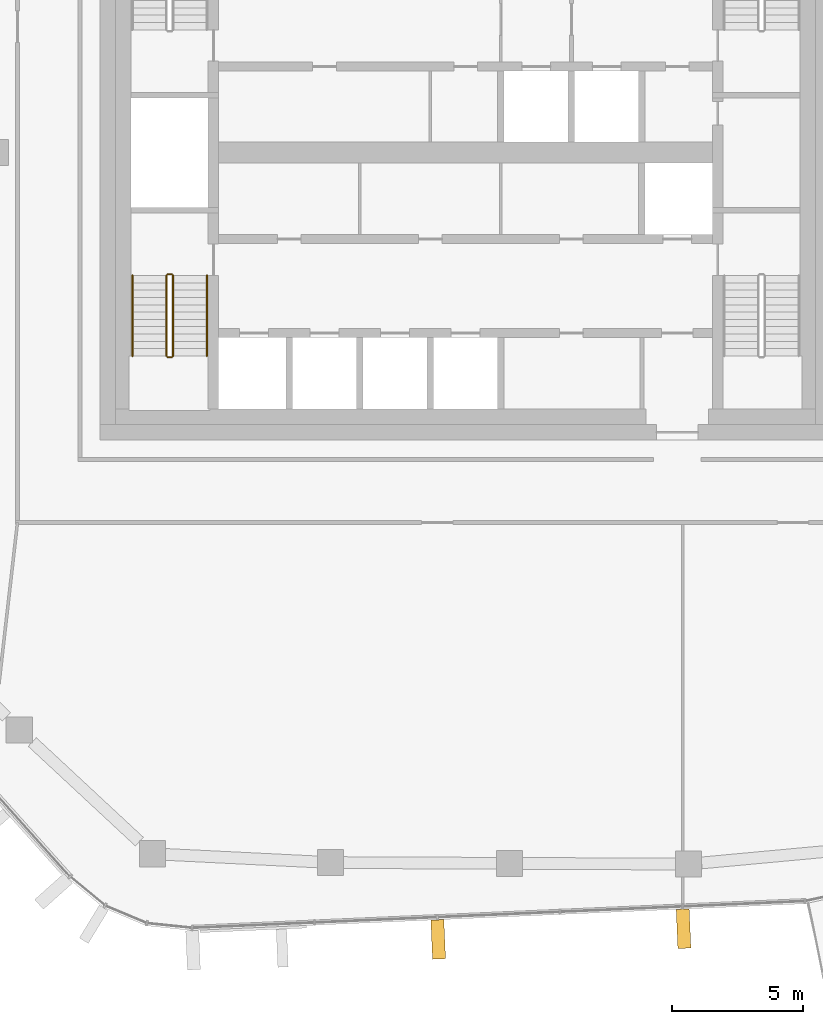
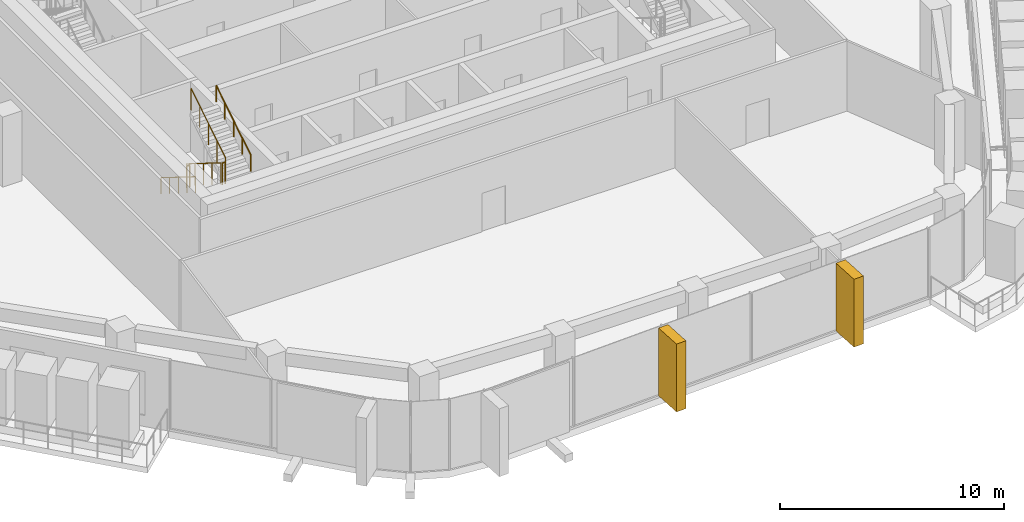
# One storey, part 18 of 23: 6 railings, 2 coverings, 1 element without a shape of its own.
"""IFC4 building model written with IfcOpenShell, lengths in metres."""

from ifc_helpers import new_model, si_unit, direction, frame, origin, origin_2d, place, context, subcontext, project, spatial, rectangle, circle, extrude, material, layer, layer_set, material_profile, profile_set, type_object, element, aggregate, save


model = new_model("IFC4")

# Units and contexts
model_context = context("Model", 3, precision=1e-05, world=origin(), true_north=direction((0.0, 1.0)))
body_context = subcontext(model_context, "Body", "Model", "MODEL_VIEW")
ifc_project = project(units=[si_unit("LENGTHUNIT", "METRE"), si_unit("AREAUNIT", "SQUARE_METRE"), si_unit("VOLUMEUNIT", "CUBIC_METRE"), si_unit("PLANEANGLEUNIT", "RADIAN"), si_unit("MASSUNIT", "GRAM", prefix="KILO")], contexts=[model_context])

# Site, building, storey
site_placement = place(None, origin())
site = spatial("IfcSite", under=ifc_project, at=site_placement, CompositionType="ELEMENT")
building_placement = place(site_placement, origin())
building = spatial("IfcBuilding", under=site, at=building_placement, Name="Dongbaek Canopy Tower", CompositionType="ELEMENT")
storey_placement = place(building_placement, frame((0.0, 0.0, 323.60009765625)))
storey = spatial("IfcBuildingStorey", under=building, at=storey_placement, Name="L69", CompositionType="ELEMENT", Elevation=323.60009765625)

# Curtain wall, coverings
ifc_material_1 = material(Name="Aluminium 6063-T6 pale anodised", Category="aluminium")
ifc_layer = layer(ifc_material_1, 0.199951171875)
ifc_layer_set = layer_set([ifc_layer], Name="CW-1 unitised tower curtain wall")
curtain_wall_type = type_object("IfcCurtainWallType", Name="CW-1 unitised tower curtain wall", PredefinedType="NOTDEFINED", material=ifc_layer_set)
curtain_wall_placement = place(storey_placement, origin())
curtain_wall = element("IfcCurtainWall", 1, at=curtain_wall_placement, inside=storey, type_object=curtain_wall_type, Name="CW-1 curtain wall F4.1", PredefinedType="NOTDEFINED")
ifc_material_2 = material(Name="Aluminium 6063-T6 pale metal fin", Category="aluminium")
ifc_material_profile = material_profile(ifc_material_2, rectangle(XDim=1.5, YDim=0.5, at=origin_2d()), Name="Fin FN1 500 x 1500 pale metal")
ifc_profile_set = profile_set([ifc_material_profile], Name="Aluminium 6063-T6 pale metal fin")
covering_type = type_object("IfcCoveringType", Name="Fin FN1 500 x 1500 pale metal", PredefinedType="CLADDING", material=ifc_profile_set)
covering_1_placement = place(storey_placement, frame((-1.048828125, -30.108154296875, 0.119873046875), z_axis=(0.0, 0.0, 1.0), x_axis=(0.04357165489, -0.999050304484, 0.0)))
covering_1 = element("IfcCovering", 2, at=covering_1_placement, type_object=covering_type, Name="Fin F4.1.3", PredefinedType="CLADDING", context=body_context, shape_type="SweptSolid", body=[
    extrude(rectangle(XDim=1.5, YDim=0.5, at=origin_2d()), origin(), (0.0, 0.0, 1.0), 3.699951171875),
])
covering_2_placement = place(storey_placement, frame((8.34033203125, -29.69873046875, 0.119873046875), z_axis=(0.0, 0.0, 1.0), x_axis=(0.04357165489, -0.999050304484, 0.0)))
covering_2 = element("IfcCovering", 3, at=covering_2_placement, type_object=covering_type, Name="Fin F4.1.5", PredefinedType="CLADDING", context=body_context, shape_type="SweptSolid", body=[
    extrude(rectangle(XDim=1.5, YDim=0.5, at=origin_2d()), origin(), (0.0, 0.0, 1.0), 3.699951171875),
])
aggregate(curtain_wall, [covering_1, covering_2])

# Railings
ifc_material_3 = material(Name="Stainless steel tube and balusters", Category="steel")
railing_type_1 = type_object("IfcRailingType", Name="Stair guard 1200", PredefinedType="GUARDRAIL", material=ifc_material_3)
railing_1_placement = place(storey_placement, frame((-11.449951171875, -4.699951171875, 0.1748046875)))
element("IfcRailing", 4, at=railing_1_placement, inside=storey, type_object=railing_type_1, Name="L69 ST-D stair guard 1", PredefinedType="GUARDRAIL", context=body_context, shape_type="SweptSolid", body=[
    extrude(circle(Radius=0.02392578125, at=origin_2d()), frame((0.0, 0.0, 1.17578125), z_axis=(0.0, -0.847998304005, 0.529998940003), x_axis=(1.0, 0.0, 0.0)), (0.0, 0.0, 1.0), 3.632080078125),
    extrude(circle(Radius=0.02099609375, at=origin_2d()), origin(), (0.0, 0.0, 1.0), 1.15185546875),
    extrude(circle(Radius=0.02099609375, at=origin_2d()), frame((0.0, -0.77001953125, 0.481201171875)), (0.0, 0.0, 1.0), 1.15185546875),
    extrude(circle(Radius=0.02099609375, at=origin_2d()), frame((0.0, -1.5400390625, 0.96240234375)), (0.0, 0.0, 1.0), 1.15185546875),
    extrude(circle(Radius=0.02099609375, at=origin_2d()), frame((0.0, -2.31005859375, 1.44384765625)), (0.0, 0.0, 1.0), 1.15185546875),
    extrude(circle(Radius=0.02099609375, at=origin_2d()), frame((0.0, -3.080078125, 1.925048828125)), (0.0, 0.0, 1.0), 1.15185546875),
])
railing_2_placement = place(storey_placement, frame((-11.39990234375, -7.830078125, 2.099853515625)))
element("IfcRailing", 5, at=railing_2_placement, inside=storey, type_object=railing_type_1, Name="L69 ST-D stair guard 2", PredefinedType="GUARDRAIL", context=body_context, shape_type="SweptSolid", body=[
    extrude(circle(Radius=0.02392578125, at=origin_2d()), frame((0.0, 0.0, 1.17578125), z_axis=(1.0, 0.0, 0.0), x_axis=(0.0, 1.0, 0.0)), (0.0, 0.0, 1.0), 0.14990234375),
    extrude(circle(Radius=0.02099609375, at=origin_2d()), origin(), (0.0, 0.0, 1.0), 1.15185546875),
    extrude(circle(Radius=0.02099609375, at=origin_2d()), frame((0.14990234375, 0.0, 0.0)), (0.0, 0.0, 1.0), 1.15185546875),
])
railing_3_placement = place(storey_placement, frame((-11.199951171875, -7.780029296875, 2.27490234375)))
element("IfcRailing", 6, at=railing_3_placement, inside=storey, type_object=railing_type_1, Name="L69 ST-D stair guard 3", PredefinedType="GUARDRAIL", context=body_context, shape_type="SweptSolid", body=[
    extrude(circle(Radius=0.02392578125, at=origin_2d()), frame((0.0, 0.0, 1.17578125), z_axis=(0.0, 0.847998304005, 0.529998940003), x_axis=(-1.0, 0.0, 0.0)), (0.0, 0.0, 1.0), 3.632080078125),
    extrude(circle(Radius=0.02099609375, at=origin_2d()), origin(), (0.0, 0.0, 1.0), 1.15185546875),
    extrude(circle(Radius=0.02099609375, at=origin_2d()), frame((0.0, 0.77001953125, 0.481201171875)), (0.0, 0.0, 1.0), 1.15185546875),
    extrude(circle(Radius=0.02099609375, at=origin_2d()), frame((0.0, 1.5400390625, 0.96240234375)), (0.0, 0.0, 1.0), 1.15185546875),
    extrude(circle(Radius=0.02099609375, at=origin_2d()), frame((0.0, 2.31005859375, 1.44384765625)), (0.0, 0.0, 1.0), 1.15185546875),
    extrude(circle(Radius=0.02099609375, at=origin_2d()), frame((0.0, 3.080078125, 1.925048828125)), (0.0, 0.0, 1.0), 1.15185546875),
])
railing_4_placement = place(storey_placement, frame((-11.39990234375, -4.64990234375, 0.0)))
element("IfcRailing", 7, at=railing_4_placement, inside=storey, type_object=railing_type_1, Name="L69 ST-D stair guard 4", PredefinedType="GUARDRAIL", context=body_context, shape_type="SweptSolid", body=[
    extrude(circle(Radius=0.02392578125, at=origin_2d()), frame((0.0, 0.0, 1.17578125), z_axis=(1.0, 0.0, 0.0), x_axis=(0.0, 1.0, 0.0)), (0.0, 0.0, 1.0), 0.14990234375),
    extrude(circle(Radius=0.02099609375, at=origin_2d()), origin(), (0.0, 0.0, 1.0), 1.15185546875),
    extrude(circle(Radius=0.02099609375, at=origin_2d()), frame((0.14990234375, 0.0, 0.0)), (0.0, 0.0, 1.0), 1.15185546875),
])
ifc_material_4 = material(Name="Stainless steel tube", Category="steel")
railing_type_2 = type_object("IfcRailingType", Name="Stair handrail 900", PredefinedType="HANDRAIL", material=ifc_material_4)
railing_5_placement = place(storey_placement, frame((-12.75, -4.699951171875, 0.1748046875)))
element("IfcRailing", 8, at=railing_5_placement, inside=storey, type_object=railing_type_2, Name="L69 ST-D stair handrail 1", PredefinedType="HANDRAIL", context=body_context, shape_type="SweptSolid", body=[
    extrude(circle(Radius=0.02392578125, at=origin_2d()), frame((0.0, 0.0, 0.8759765625), z_axis=(0.0, -0.847998304005, 0.529998940003), x_axis=(1.0, 0.0, 0.0)), (0.0, 0.0, 1.0), 3.632080078125),
    extrude(circle(Radius=0.02099609375, at=origin_2d()), origin(), (0.0, 0.0, 1.0), 0.851806640625),
    extrude(circle(Radius=0.02099609375, at=origin_2d()), frame((0.0, -0.77001953125, 0.481201171875)), (0.0, 0.0, 1.0), 0.851806640625),
    extrude(circle(Radius=0.02099609375, at=origin_2d()), frame((0.0, -1.5400390625, 0.96240234375)), (0.0, 0.0, 1.0), 0.851806640625),
    extrude(circle(Radius=0.02099609375, at=origin_2d()), frame((0.0, -2.31005859375, 1.44384765625)), (0.0, 0.0, 1.0), 0.851806640625),
    extrude(circle(Radius=0.02099609375, at=origin_2d()), frame((0.0, -3.080078125, 1.925048828125)), (0.0, 0.0, 1.0), 0.851806640625),
])
railing_6_placement = place(storey_placement, frame((-9.89990234375, -7.780029296875, 2.27490234375)))
element("IfcRailing", 9, at=railing_6_placement, inside=storey, type_object=railing_type_2, Name="L69 ST-D stair handrail 2", PredefinedType="HANDRAIL", context=body_context, shape_type="SweptSolid", body=[
    extrude(circle(Radius=0.02392578125, at=origin_2d()), frame((0.0, 0.0, 0.8759765625), z_axis=(0.0, 0.847998304005, 0.529998940003), x_axis=(-1.0, 0.0, 0.0)), (0.0, 0.0, 1.0), 3.632080078125),
    extrude(circle(Radius=0.02099609375, at=origin_2d()), origin(), (0.0, 0.0, 1.0), 0.851806640625),
    extrude(circle(Radius=0.02099609375, at=origin_2d()), frame((0.0, 0.77001953125, 0.481201171875)), (0.0, 0.0, 1.0), 0.851806640625),
    extrude(circle(Radius=0.02099609375, at=origin_2d()), frame((0.0, 1.5400390625, 0.96240234375)), (0.0, 0.0, 1.0), 0.851806640625),
    extrude(circle(Radius=0.02099609375, at=origin_2d()), frame((0.0, 2.31005859375, 1.44384765625)), (0.0, 0.0, 1.0), 0.851806640625),
    extrude(circle(Radius=0.02099609375, at=origin_2d()), frame((0.0, 3.080078125, 1.925048828125)), (0.0, 0.0, 1.0), 0.851806640625),
])

save(model, "model.ifc")
